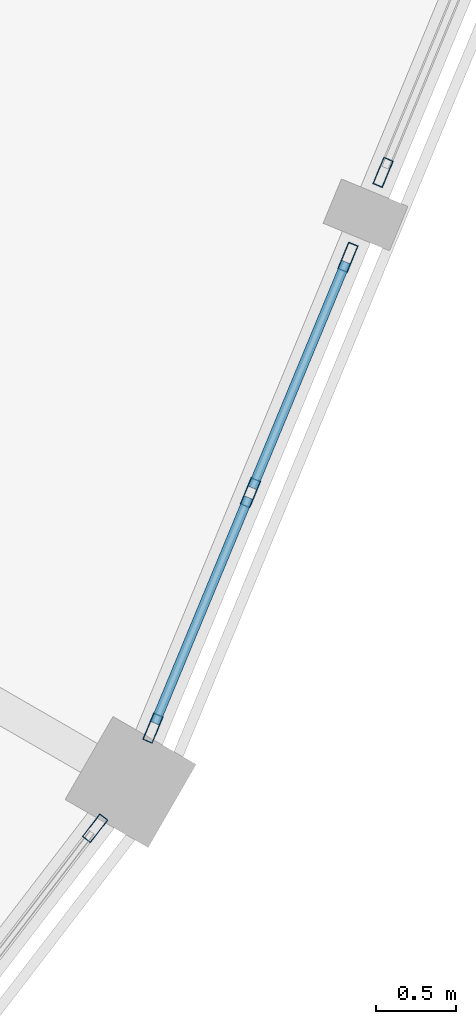
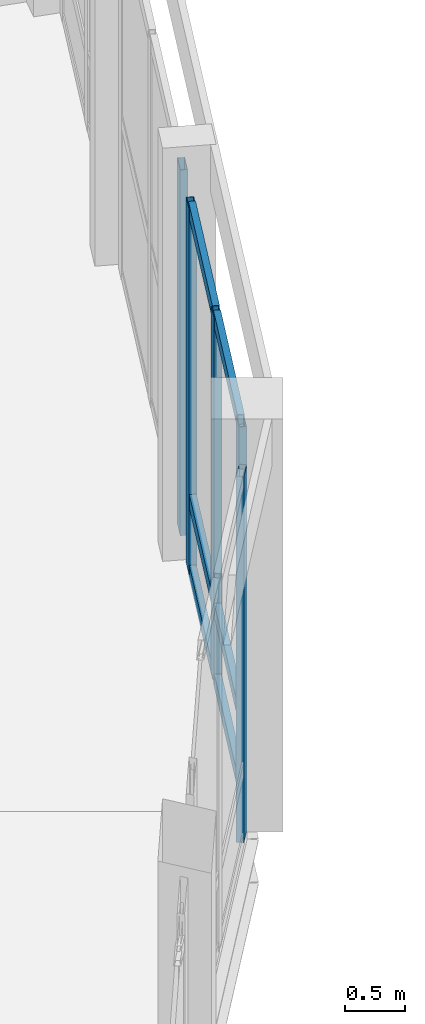
# One storey, part 97 of 170: 11 members, 3 elements without a shape of their own.
"""IFC4 building model written with IfcOpenShell, lengths in metres."""

import ifcopenshell
import ifcopenshell.guid

model = None  # the IFC model being written
_history = None  # IfcOwnerHistory: only IFC2X3 demands one
_inside = {}  # id of a spatial element -> (the spatial element, [elements in it])
_under = {}  # id of a project, library or spatial element -> (it, [spatial elements below it])
_declared = {}  # id of a project -> (the project, [libraries it declares])
_typed = {}  # id of a type object -> (the type object, [elements of that type])
_made_of = {}  # id of a material, layer set ... -> (it, [elements and type objects made of it])


def new_model(schema):
    """Start an empty IFC model of exactly this schema.

    Asked for "IFC4X3", IfcOpenShell would pick the latest addendum, in which some entities
    have other attributes; the version numbers below select the first issue.
    IFC2X3 requires an IfcOwnerHistory on every rooted entity: one is made here for all.
    """
    global model, _history
    if schema == "IFC4X3":
        model = ifcopenshell.file(schema_version=(4, 3, 0, 0))
    else:
        model = ifcopenshell.file(schema=schema)
    _inside.clear()
    _under.clear()
    _declared.clear()
    _typed.clear()
    _made_of.clear()
    _history = None
    if model.schema == "IFC2X3":
        org = make("IfcOrganization", Name="unknown")
        user = make(
            "IfcPersonAndOrganization",
            ThePerson=make("IfcPerson", FamilyName="unknown"),
            TheOrganization=org,
        )
        app = make(
            "IfcApplication",
            ApplicationDeveloper=org,
            Version="unknown",
            ApplicationFullName="unknown",
            ApplicationIdentifier="unknown",
        )
        _history = make(
            "IfcOwnerHistory",
            OwningUser=user,
            OwningApplication=app,
            ChangeAction="ADDED",
            CreationDate=0,
        )
    return model


def make(cls, **values):
    """One entity of the class cls with the attributes given. An attribute that is None is left unset."""
    return model.create_entity(
        cls, **{name: value for name, value in values.items() if value is not None}
    )


def rooted(cls, **values):
    """An entity with a GlobalId (a new one), such as an element, a storey or a relation."""
    return make(cls, GlobalId=ifcopenshell.guid.new(), OwnerHistory=_history, **values)


def si_unit(unit_type, name, prefix=None):
    """IfcSIUnit, for example si_unit("LENGTHUNIT", "METRE", prefix="MILLI")."""
    return make("IfcSIUnit", UnitType=unit_type, Prefix=prefix, Name=name)


def assignment(units):
    """IfcUnitAssignment: the units of a project."""
    return None if units is None else make("IfcUnitAssignment", Units=units)


def point(xyz):
    """IfcCartesianPoint."""
    return None if xyz is None else make("IfcCartesianPoint", Coordinates=xyz)


def direction(xyz):
    """IfcDirection."""
    return None if xyz is None else make("IfcDirection", DirectionRatios=xyz)


def frame(location, z_axis=None, x_axis=None):
    """IfcAxis2Placement3D, a coordinate frame: its origin and axes. An axis left out is left unset."""
    return make(
        "IfcAxis2Placement3D",
        Location=point(location),
        Axis=direction(z_axis),
        RefDirection=direction(x_axis),
    )


def frame_2d(location, x_axis=None):
    """IfcAxis2Placement2D, a coordinate frame in the plane: its origin and x axis."""
    return make(
        "IfcAxis2Placement2D", Location=point(location), RefDirection=direction(x_axis)
    )


def origin():
    """The frame at (0, 0, 0) with its axes left unset."""
    return frame((0.0, 0.0, 0.0))


def origin_2d():
    """The frame at (0, 0) in the plane with its x axis left unset."""
    return frame_2d((0.0, 0.0))


def place(relative_to, where):
    """IfcLocalPlacement: puts the frame where relative to a parent placement (None: the world)."""
    return make(
        "IfcLocalPlacement", PlacementRelTo=relative_to, RelativePlacement=where
    )


def context(
    kind, dimensions, precision=None, world=None, true_north=None, identifier=None
):
    """IfcGeometricRepresentationContext, for example the 3D "Model" context."""
    return make(
        "IfcGeometricRepresentationContext",
        ContextIdentifier=identifier,
        ContextType=kind,
        CoordinateSpaceDimension=dimensions,
        Precision=precision,
        WorldCoordinateSystem=world,
        TrueNorth=true_north,
    )


def subcontext(parent, identifier, kind, view, scale=None):
    """IfcGeometricRepresentationSubContext, for example "Body" below "Model"."""
    return make(
        "IfcGeometricRepresentationSubContext",
        ContextIdentifier=identifier,
        ContextType=kind,
        ParentContext=parent,
        TargetScale=scale,
        TargetView=view,
    )


def project(units=None, contexts=None):
    """IfcProject with its units and contexts."""
    return rooted(
        "IfcProject",
        Name="project",
        RepresentationContexts=contexts,
        UnitsInContext=assignment(units),
    )


def spatial(cls, under=None, at=None, **own):
    """A site, building, storey or space (cls), placed at a placement, below another one or the project."""
    s = rooted(cls, ObjectPlacement=at, **own)
    if under is not None:
        _under.setdefault(under.id(), (under, []))[1].append(s)
    return s


def profile(cls, at=None, kind="AREA", **sizes):
    """A parametric profile (cls). Its sizes go by their IFC names, for example OverallWidth=200.0."""
    return make(cls, ProfileType=kind, Position=at, **sizes)


def hollow_rectangle(**sizes):
    """IfcRectangleHollowProfileDef."""
    return profile("IfcRectangleHollowProfileDef", **sizes)


def extrude(swept, where, along, depth):
    """IfcExtrudedAreaSolid: the profile swept, set in the frame where, extruded along a direction by depth."""
    return make(
        "IfcExtrudedAreaSolid",
        SweptArea=swept,
        Position=where,
        ExtrudedDirection=direction(along),
        Depth=depth,
    )


def shape(context_of_items, identifier, shape_type, items):
    """IfcShapeRepresentation: the items that make up one representation, for example the "Body"."""
    return make(
        "IfcShapeRepresentation",
        ContextOfItems=context_of_items,
        RepresentationIdentifier=identifier,
        RepresentationType=shape_type,
        Items=items,
    )


def material(Name=None, Category=None):
    """IfcMaterial."""
    return make("IfcMaterial", Name=Name, Category=Category)


def material_profile(
    of_material, cross_section, Name=None, Category=None, Priority=None
):
    """IfcMaterialProfile: a cross section and its material."""
    return make(
        "IfcMaterialProfile",
        Name=Name,
        Material=of_material,
        Profile=cross_section,
        Priority=Priority,
        Category=Category,
    )


def profile_set(profiles, Name=None, composite=None):
    """IfcMaterialProfileSet."""
    return make(
        "IfcMaterialProfileSet",
        Name=Name,
        MaterialProfiles=profiles,
        CompositeProfile=composite,
    )


def made_of(thing, what):
    """Note that an element or type object is made of a material, layer set ...; save() writes the relation."""
    if what is not None:
        _made_of.setdefault(what.id(), (what, []))[1].append(thing)
    return thing


def type_object(cls, material=None, **own):
    """A type object (cls), such as IfcWallType, which elements share."""
    return made_of(rooted(cls, **own), material)


def element(
    cls,
    number,
    at=None,
    inside=None,
    cuts=None,
    type_object=None,
    material=None,
    context=None,
    identifier="Body",
    shape_type=None,
    held_by="IfcProductDefinitionShape",
    body=None,
    shapes=None,
    **own,
):
    """One element of the class cls, such as IfcWall. Its Tag is "e" and its number.

    at: its placement. inside: the storey or other place that contains it. cuts: it is an
    opening in that element (IfcRelVoidsElement). A single representation is given by context,
    identifier, shape_type and body (its items); several are given by shapes. held_by: the class
    of the entity that holds the representations. save() writes the other relations.
    """
    e = rooted(cls, Tag="e%d" % number, ObjectPlacement=at, **own)
    if body is not None:
        shapes = [shape(context, identifier, shape_type, body)]
    if shapes is not None:
        e.Representation = make(held_by, Representations=shapes)
    if inside is not None:
        _inside.setdefault(inside.id(), (inside, []))[1].append(e)
    if cuts is not None:
        rooted(
            "IfcRelVoidsElement", RelatingBuildingElement=cuts, RelatedOpeningElement=e
        )
    if type_object is not None:
        _typed.setdefault(type_object.id(), (type_object, []))[1].append(e)
    return made_of(e, material)


def aggregate(whole, parts):
    """IfcRelAggregates: a whole, such as a stair, and the parts it consists of."""
    return rooted("IfcRelAggregates", RelatingObject=whole, RelatedObjects=parts)


def save(model, path):
    """Write the relations noted so far, then the file.

    IfcRelAggregates (storeys below a building ...), IfcRelContainedInSpatialStructure (elements
    in a storey), IfcRelDefinesByType, IfcRelAssociatesMaterial and IfcRelDeclares: one each for
    every whole, place, type object, material and project.
    """
    for whole, parts in _under.values():
        aggregate(whole, parts)
    for where, things in _inside.values():
        rooted(
            "IfcRelContainedInSpatialStructure",
            RelatedElements=things,
            RelatingStructure=where,
        )
    for kind, things in _typed.values():
        rooted("IfcRelDefinesByType", RelatedObjects=things, RelatingType=kind)
    for what, things in _made_of.values():
        rooted("IfcRelAssociatesMaterial", RelatedObjects=things, RelatingMaterial=what)
    for by, libraries in _declared.values():
        rooted("IfcRelDeclares", RelatingContext=by, RelatedDefinitions=libraries)
    model.write(path)


model = new_model("IFC4")

# Units and contexts
model_context = context("Model", 3, precision=1e-05, world=origin(), true_north=direction((0.0, 1.0)))
body_context = subcontext(model_context, "Body", "Model", "MODEL_VIEW")
ifc_project = project(units=[si_unit("LENGTHUNIT", "METRE"), si_unit("AREAUNIT", "SQUARE_METRE"), si_unit("VOLUMEUNIT", "CUBIC_METRE"), si_unit("PLANEANGLEUNIT", "RADIAN"), si_unit("MASSUNIT", "GRAM", prefix="KILO")], contexts=[model_context])

# Site, building, storey
site_placement = place(None, origin())
site = spatial("IfcSite", under=ifc_project, at=site_placement, CompositionType="ELEMENT")
building_placement = place(site_placement, origin())
building = spatial("IfcBuilding", under=site, at=building_placement, Name="Vondelvale Polytechnic", CompositionType="ELEMENT")
storey_placement = place(building_placement, frame((0.0, 0.0, 5.39990234375)))
storey = spatial("IfcBuildingStorey", under=building, at=storey_placement, Name="L01", CompositionType="ELEMENT", Elevation=5.39990234375)

# Curtain wall, member
ifc_material_1 = material(Name="Glulam GL18 structural Tasmanian oak (fb = 42 MPa)", Category="wood")
curtain_wall_type = type_object("IfcCurtainWallType", Name="CW-RING-OUTER", PredefinedType="NOTDEFINED", material=ifc_material_1)
curtain_wall_1_placement = place(storey_placement, origin())
curtain_wall_1 = element("IfcCurtainWall", 1, at=curtain_wall_1_placement, inside=storey, type_object=curtain_wall_type, Name="L01 architectural curtain wall CW-04-354", PredefinedType="NOTDEFINED")
ifc_material_2 = material(Name="Anodised extruded aluminium 6063-T6", Category="aluminium")
ifc_material_profile_1 = material_profile(ifc_material_2, hollow_rectangle(XDim=0.06494140625, YDim=0.179931640625, WallThickness=0.00390625, at=origin_2d()), Name="CW-MUL-180x65")
ifc_profile_set_1 = profile_set([ifc_material_profile_1], Name="Anodised extruded aluminium 6063-T6")
member_type_1 = type_object("IfcMemberType", Name="CW-MUL-65x180", PredefinedType="MULLION", material=ifc_profile_set_1)
member_1_placement = place(storey_placement, frame((141.614990234375, 48.710205078125, 0.0), z_axis=(0.0, 0.0, 1.0), x_axis=(-0.793333825656, 0.608786860133, 0.0)))
member_1 = element("IfcMember", 2, at=member_1_placement, type_object=member_type_1, Name="CW-04-354 mullion 3", PredefinedType="MULLION", context=body_context, shape_type="SweptSolid", body=[
    extrude(hollow_rectangle(XDim=0.06494140625, YDim=0.179931640625, WallThickness=0.00390625, at=origin_2d()), origin(), (0.0, 0.0, 1.0), 3.72021484375),
])
aggregate(curtain_wall_1, [member_1])

# Curtain wall, members
curtain_wall_2_placement = place(storey_placement, origin())
curtain_wall_2 = element("IfcCurtainWall", 3, at=curtain_wall_2_placement, inside=storey, type_object=curtain_wall_type, Name="L01 architectural curtain wall CW-04-363", PredefinedType="NOTDEFINED")
member_2_placement = place(storey_placement, frame((141.97705078125, 49.33740234375, 0.0), z_axis=(0.0, 0.0, 1.0), x_axis=(-0.923882033442, 0.382677394529, 0.0)))
member_2 = element("IfcMember", 4, at=member_2_placement, type_object=member_type_1, Name="CW-04-363 mullion 1", PredefinedType="MULLION", context=body_context, shape_type="SweptSolid", body=[
    extrude(hollow_rectangle(XDim=0.06494140625, YDim=0.179931640625, WallThickness=0.00390625, at=origin_2d()), origin(), (0.0, 0.0, 1.0), 3.72021484375),
])
member_3_placement = place(storey_placement, frame((142.58740234375, 50.81103515625, 0.0), z_axis=(0.0, 0.0, 1.0), x_axis=(-0.923882033442, 0.382677394529, 0.0)))
member_3 = element("IfcMember", 5, at=member_3_placement, type_object=member_type_1, Name="CW-04-363 mullion 2", PredefinedType="MULLION", context=body_context, shape_type="SweptSolid", body=[
    extrude(hollow_rectangle(XDim=0.06494140625, YDim=0.179931640625, WallThickness=0.00390625, at=origin_2d()), origin(), (0.0, 0.0, 1.0), 3.72021484375),
])
member_4_placement = place(storey_placement, frame((143.19775390625, 52.28466796875, 0.0), z_axis=(0.0, 0.0, 1.0), x_axis=(-0.923882033442, 0.382677394529, 0.0)))
member_4 = element("IfcMember", 6, at=member_4_placement, type_object=member_type_1, Name="CW-04-363 mullion 3", PredefinedType="MULLION", context=body_context, shape_type="SweptSolid", body=[
    extrude(hollow_rectangle(XDim=0.06494140625, YDim=0.179931640625, WallThickness=0.00390625, at=origin_2d()), origin(), (0.0, 0.0, 1.0), 3.72021484375),
])

# Curtain wall, member
curtain_wall_3_placement = place(storey_placement, origin())
curtain_wall_3 = element("IfcCurtainWall", 7, at=curtain_wall_3_placement, inside=storey, type_object=curtain_wall_type, Name="L01 architectural curtain wall CW-04-364", PredefinedType="NOTDEFINED")
member_5_placement = place(storey_placement, frame((143.417724609375, 52.81591796875, 0.0), z_axis=(0.0, 0.0, 1.0), x_axis=(-0.92387490701, 0.382694599123, 0.0)))
member_5 = element("IfcMember", 8, at=member_5_placement, type_object=member_type_1, Name="CW-04-364 mullion 1", PredefinedType="MULLION", context=body_context, shape_type="SweptSolid", body=[
    extrude(hollow_rectangle(XDim=0.06494140625, YDim=0.179931640625, WallThickness=0.00390625, at=origin_2d()), origin(), (0.0, 0.0, 1.0), 3.72021484375),
])
aggregate(curtain_wall_3, [member_5])

# Member
ifc_material_profile_2 = material_profile(ifc_material_2, hollow_rectangle(XDim=0.06005859375, YDim=0.139892578125, WallThickness=0.00341796875, at=origin_2d()), Name="CW-TRN-140x60")
ifc_profile_set_2 = profile_set([ifc_material_profile_2], Name="Anodised extruded aluminium 6063-T6")
member_type_2 = type_object("IfcMemberType", Name="CW-TRN-60x140", PredefinedType="USERDEFINED", material=ifc_profile_set_2)
member_6_placement = place(storey_placement, frame((141.9892578125, 49.367431640625, 0.030029296875), z_axis=(0.382779237206, 0.923839843027, 0.0), x_axis=(-0.923839843027, 0.382779237206, 0.0)))
member_6 = element("IfcMember", 9, at=member_6_placement, type_object=member_type_2, Name="CW-04-363 transom 1.1", ObjectType="TRANSOM", PredefinedType="USERDEFINED", context=body_context, shape_type="SweptSolid", body=[
    extrude(hollow_rectangle(XDim=0.06005859375, YDim=0.139892578125, WallThickness=0.00341796875, at=origin_2d()), origin(), (0.0, 0.0, 1.0), 1.530029296875),
])

member_7_placement = place(storey_placement, frame((141.9892578125, 49.367431640625, 0.75), z_axis=(0.382779237206, 0.923839843027, 0.0), x_axis=(-0.923839843027, 0.382779237206, 0.0)))
member_7 = element("IfcMember", 10, at=member_7_placement, type_object=member_type_2, Name="CW-04-363 transom 1.2", ObjectType="TRANSOM", PredefinedType="USERDEFINED", context=body_context, shape_type="SweptSolid", body=[
    extrude(hollow_rectangle(XDim=0.06005859375, YDim=0.139892578125, WallThickness=0.00341796875, at=origin_2d()), origin(), (0.0, 0.0, 1.0), 1.530029296875),
])

member_8_placement = place(storey_placement, frame((141.9892578125, 49.367431640625, 3.690185546875), z_axis=(0.382779237206, 0.923839843027, 0.0), x_axis=(-0.923839843027, 0.382779237206, 0.0)))
member_8 = element("IfcMember", 11, at=member_8_placement, type_object=member_type_2, Name="CW-04-363 transom 1.3", ObjectType="TRANSOM", PredefinedType="USERDEFINED", context=body_context, shape_type="SweptSolid", body=[
    extrude(hollow_rectangle(XDim=0.06005859375, YDim=0.139892578125, WallThickness=0.00341796875, at=origin_2d()), origin(), (0.0, 0.0, 1.0), 1.530029296875),
])

member_9_placement = place(storey_placement, frame((142.599853515625, 50.841064453125, 0.030029296875), z_axis=(0.382643045304, 0.923896260346, 0.0), x_axis=(-0.923896260346, 0.382643045304, 0.0)))
member_9 = element("IfcMember", 12, at=member_9_placement, type_object=member_type_2, Name="CW-04-363 transom 2.1", ObjectType="TRANSOM", PredefinedType="USERDEFINED", context=body_context, shape_type="SweptSolid", body=[
    extrude(hollow_rectangle(XDim=0.06005859375, YDim=0.139892578125, WallThickness=0.00341796875, at=origin_2d()), origin(), (0.0, 0.0, 1.0), 1.530029296875),
])

member_10_placement = place(storey_placement, frame((142.599853515625, 50.841064453125, 0.75), z_axis=(0.382643045304, 0.923896260346, 0.0), x_axis=(-0.923896260346, 0.382643045304, 0.0)))
member_10 = element("IfcMember", 13, at=member_10_placement, type_object=member_type_2, Name="CW-04-363 transom 2.2", ObjectType="TRANSOM", PredefinedType="USERDEFINED", context=body_context, shape_type="SweptSolid", body=[
    extrude(hollow_rectangle(XDim=0.06005859375, YDim=0.139892578125, WallThickness=0.00341796875, at=origin_2d()), origin(), (0.0, 0.0, 1.0), 1.530029296875),
])

member_11_placement = place(storey_placement, frame((142.599853515625, 50.841064453125, 3.690185546875), z_axis=(0.382643045304, 0.923896260346, 0.0), x_axis=(-0.923896260346, 0.382643045304, 0.0)))
member_11 = element("IfcMember", 14, at=member_11_placement, type_object=member_type_2, Name="CW-04-363 transom 2.3", ObjectType="TRANSOM", PredefinedType="USERDEFINED", context=body_context, shape_type="SweptSolid", body=[
    extrude(hollow_rectangle(XDim=0.06005859375, YDim=0.139892578125, WallThickness=0.00341796875, at=origin_2d()), origin(), (0.0, 0.0, 1.0), 1.530029296875),
])

aggregate(curtain_wall_2, [member_2, member_3, member_4, member_6, member_7, member_8, member_9, member_10, member_11])

save(model, "model.ifc")
